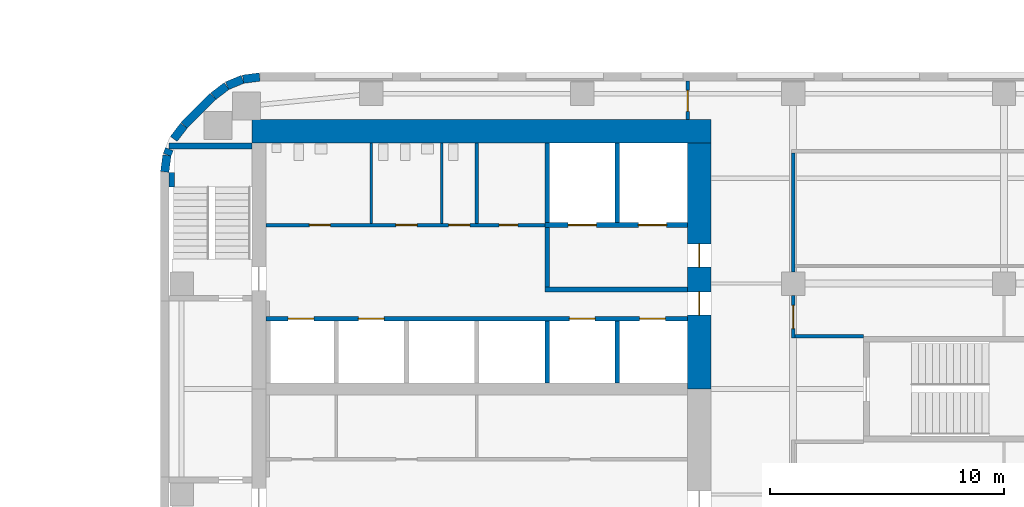
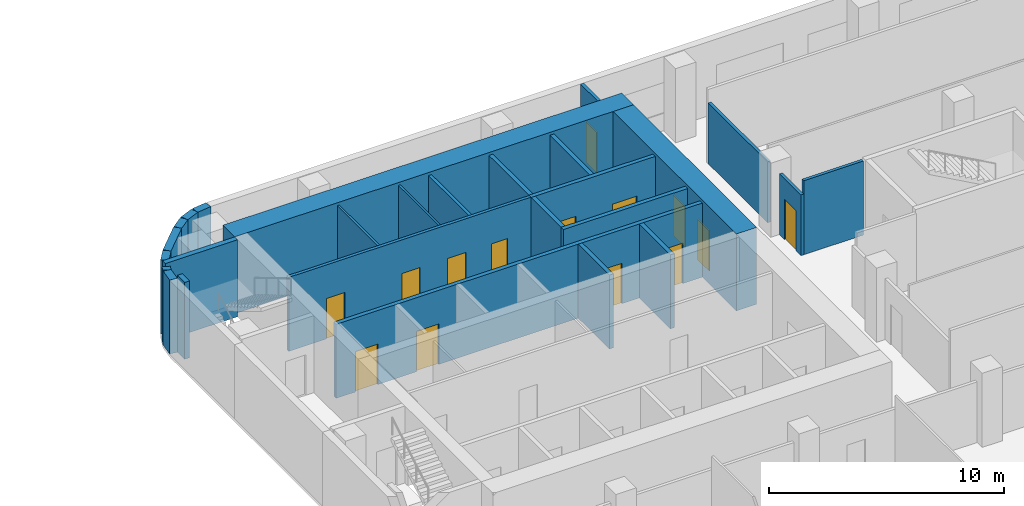
# One storey, part 10 of 15: 27 walls, 14 doors, 14 openings.
"""IFC4 building model written with IfcOpenShell, lengths in metres."""

from ifc_helpers import new_model, si_unit, direction, frame, frame_2d, origin, place, context, subcontext, project, spatial, rectangle, extrude, material, layer, layer_set, type_object, element, fill, save


model = new_model("IFC4")

# Units and contexts
model_context = context("Model", 3, precision=1e-05, world=origin(), true_north=direction((0.0, 1.0)))
body_context = subcontext(model_context, "Body", "Model", "MODEL_VIEW")
ifc_project = project(units=[si_unit("LENGTHUNIT", "METRE"), si_unit("AREAUNIT", "SQUARE_METRE"), si_unit("VOLUMEUNIT", "CUBIC_METRE"), si_unit("PLANEANGLEUNIT", "RADIAN"), si_unit("MASSUNIT", "GRAM", prefix="KILO")], contexts=[model_context])

# Site, building, storey
site_placement = place(None, origin())
site = spatial("IfcSite", under=ifc_project, at=site_placement, CompositionType="ELEMENT")
building_placement = place(site_placement, origin())
building = spatial("IfcBuilding", under=site, at=building_placement, Name="Cinnabar Reach Civic Tower", CompositionType="ELEMENT")
storey_placement = place(building_placement, frame((0.0, 0.0, 63.0)))
storey = spatial("IfcBuildingStorey", under=building, at=storey_placement, Name="L14", CompositionType="ELEMENT", Elevation=63.0)

# Walls
ifc_material_1 = material(Name="Facing brick with insulated backing", Category="masonry")
ifc_layer_1 = layer(ifc_material_1, 0.36)
ifc_layer_set_1 = layer_set([ifc_layer_1], Name="Brick corner wall")
wall_type_1 = type_object("IfcWallType", Name="Brick corner wall", PredefinedType="STANDARD", material=ifc_layer_set_1)
for number, where, z_axis, x_axis, name in (
    (1, (4.2314, 44.817, 0.0), (0.0, 0.0, 1.0), (-0.99144092581, -0.13055608231, 0.0), "Brick corner wall"),
    (2, (3.5027, 44.7181, 0.0), (0.0, 0.0, 1.0), (-0.923871547278, -0.382702709855, 0.0), "Brick corner wall"),
):
    element("IfcWall", number, at=place(storey_placement, frame(where, z_axis=z_axis, x_axis=x_axis)), inside=storey, type_object=wall_type_1, Name=name, PredefinedType="STANDARD", context=body_context, shape_type="SweptSolid", body=[
        extrude(rectangle(XDim=0.7131, YDim=0.36, at=frame_2d((0.3565, 0.0))), origin(), (0.0, 0.0, 1.0), 3.85),
    ])
for number, where, z_axis, x_axis, name in (
    (3, (2.8245, 44.434, 0.0), (0.0, 0.0, 1.0), (-0.793321924995, -0.608802368033, 0.0), "Brick corner wall"),
    (4, (1.0002, 42.7413, 0.0), (0.0, 0.0, 1.0), (-0.608802368033, -0.793321924995, 0.0), "Brick corner wall"),
):
    element("IfcWall", number, at=place(storey_placement, frame(where, z_axis=z_axis, x_axis=x_axis)), inside=storey, type_object=wall_type_1, Name=name, PredefinedType="STANDARD", context=body_context, shape_type="SweptSolid", body=[
        extrude(rectangle(XDim=0.7132, YDim=0.36, at=frame_2d((0.3566, 0.0))), origin(), (0.0, 0.0, 1.0), 3.85),
    ])
wall_1_placement = place(storey_placement, frame((0.3808, 41.736, 0.0), z_axis=(0.0, 0.0, 1.0), x_axis=(-0.382773360986, -0.923842277729, 0.0)))
element("IfcWall", 5, at=wall_1_placement, inside=storey, type_object=wall_type_1, Name="Brick corner wall", PredefinedType="STANDARD", context=body_context, shape_type="SweptSolid", body=[
    extrude(rectangle(XDim=0.2584, YDim=0.36, at=frame_2d((0.1292, 0.0))), origin(), (0.0, 0.0, 1.0), 3.85),
])
wall_2_placement = place(storey_placement, frame((0.2761, 41.4756, 0.0), z_axis=(0.0, 0.0, 1.0), x_axis=(-0.13055608231, -0.99144092581, 0.0)))
element("IfcWall", 6, at=wall_2_placement, inside=storey, type_object=wall_type_1, Name="Brick corner wall", PredefinedType="STANDARD", context=body_context, shape_type="SweptSolid", body=[
    extrude(rectangle(XDim=0.7131, YDim=0.36, at=frame_2d((0.3565, 0.0))), origin(), (0.0, 0.0, 1.0), 3.85),
])
ifc_layer_2 = layer(ifc_material_1, 0.36)
ifc_layer_set_2 = layer_set([ifc_layer_2], Name="Brick pier and spandrel wall")
wall_type_2 = type_object("IfcWallType", Name="Brick pier and spandrel wall", PredefinedType="STANDARD", material=ifc_layer_set_2)
wall_3_placement = place(storey_placement, frame((2.2486, 43.994, 0.0), z_axis=(0.0, 0.0, 1.0), x_axis=(-0.707106781187, -0.707106781187, 0.0)))
element("IfcWall", 7, at=wall_3_placement, inside=storey, type_object=wall_type_2, Name="Brick facade wall", PredefinedType="STANDARD", context=body_context, shape_type="SweptSolid", body=[
    extrude(rectangle(XDim=1.7573, YDim=0.36, at=frame_2d((0.8787, 0.0))), origin(), (0.0, 0.0, 1.0), 3.85),
])
ifc_material_2 = material(Name="Concrete C70", Category="concrete")
ifc_layer_3 = layer(ifc_material_2, 1.0)
ifc_layer_set_3 = layer_set([ifc_layer_3], Name="Core wall 1000 EI 180")
wall_type_3 = type_object("IfcWallType", Name="Core wall 1000 EI 180", PredefinedType="SOLIDWALL", material=ifc_layer_set_3)
wall_4_placement = place(storey_placement, frame((23.5, 42.5, 0.0), z_axis=(0.0, 0.0, 1.0), x_axis=(-1.0, 0.0, 0.0)))
element("IfcWall", 8, at=wall_4_placement, inside=storey, type_object=wall_type_3, Name="Core wall T1 L14 N", PredefinedType="SOLIDWALL", context=body_context, shape_type="SweptSolid", body=[
    extrude(rectangle(XDim=19.6, YDim=1.0, at=frame_2d((9.8, 0.0))), origin(), (0.0, 0.0, 1.0), 4.0),
])

# Wall, openings, doors
wall_5_placement = place(storey_placement, frame((23.0, 31.5, 0.0), z_axis=(0.0, 0.0, 1.0), x_axis=(0.0, 1.0, 0.0)))
wall_5 = element("IfcWall", 9, at=wall_5_placement, inside=storey, type_object=wall_type_3, Name="Core wall T1 L14 E2", PredefinedType="SOLIDWALL", context=body_context, shape_type="SweptSolid", body=[
    extrude(rectangle(XDim=10.5, YDim=1.0, at=frame_2d((5.25, 0.0))), origin(), (0.0, 0.0, 1.0), 4.0),
])
opening_1_placement = place(wall_5_placement, frame((3.15, 0.0, 0.0)))
opening_1 = element("IfcOpeningElement", 10, at=opening_1_placement, cuts=wall_5, Name="Opening D3575", PredefinedType="OPENING", context=body_context, shape_type="SweptSolid", body=[
    extrude(rectangle(XDim=1.0, YDim=2.1, at=frame_2d((0.5, 1.05))), frame((0.0, 0.51, 0.0), z_axis=(0.0, -1.0, 0.0), x_axis=(1.0, 0.0, 0.0)), (0.0, 0.0, 1.0), 1.02),
])
opening_2_placement = place(wall_5_placement, frame((5.2, 0.0, 0.0)))
opening_2 = element("IfcOpeningElement", 11, at=opening_2_placement, cuts=wall_5, Name="Opening D3576", PredefinedType="OPENING", context=body_context, shape_type="SweptSolid", body=[
    extrude(rectangle(XDim=1.0, YDim=2.1, at=frame_2d((0.5, 1.05))), frame((0.0, 0.51, 0.0), z_axis=(0.0, -1.0, 0.0), x_axis=(1.0, 0.0, 0.0)), (0.0, 0.0, 1.0), 1.02),
])
ifc_material_3 = material(Name="Timber door leaf in steel frame", Category="steel")
door_type_1 = type_object("IfcDoorType", Name="Firefighting lobby door 1000 x 2100 T1", OperationType="SINGLE_SWING_LEFT", PredefinedType="DOOR", material=ifc_material_3)
door_1_placement = place(opening_2_placement, origin())
door_1 = element("IfcDoor", 12, at=door_1_placement, inside=storey, type_object=door_type_1, Name="Door D3576", OperationType="SINGLE_SWING_RIGHT", OverallHeight=2.1, OverallWidth=1.0, PredefinedType="DOOR", context=body_context, shape_type="SweptSolid", body=[
    extrude(rectangle(XDim=1.0, YDim=2.1, at=frame_2d((0.5, 1.05))), frame((0.0, 0.025, 0.0), z_axis=(0.0, -1.0, 0.0), x_axis=(1.0, 0.0, 0.0)), (0.0, 0.0, 1.0), 0.05),
])
fill(opening_2, door_1)
door_type_2 = type_object("IfcDoorType", Name="Single swing door 1000 x 2100 T1", OperationType="SINGLE_SWING_LEFT", PredefinedType="DOOR", material=ifc_material_3)
door_2_placement = place(opening_1_placement, origin())
door_2 = element("IfcDoor", 13, at=door_2_placement, inside=storey, type_object=door_type_2, Name="Door D3575", OperationType="SINGLE_SWING_RIGHT", OverallHeight=2.1, OverallWidth=1.0, PredefinedType="DOOR", context=body_context, shape_type="SweptSolid", body=[
    extrude(rectangle(XDim=1.0, YDim=2.1, at=frame_2d((0.5, 1.05))), frame((0.0, 0.025, 0.0), z_axis=(0.0, -1.0, 0.0), x_axis=(1.0, 0.0, 0.0)), (0.0, 0.0, 1.0), 0.05),
])
fill(opening_1, door_2)

ifc_material_4 = material(Name="Gypsum board on steel studs, double layer", Category="steel")
ifc_layer_4 = layer(ifc_material_4, 0.15)
ifc_layer_set_4 = layer_set([ifc_layer_4], Name="Corridor wall 150 T1")
wall_type_4 = type_object("IfcWallType", Name="Corridor wall 150 T1", PredefinedType="PARTITIONING", material=ifc_layer_set_4)
wall_6_placement = place(storey_placement, frame((4.5, 38.5, 0.0), z_axis=(0.0, 0.0, 1.0), x_axis=(1.0, 0.0, 0.0)))
wall_6 = element("IfcWall", 14, at=wall_6_placement, inside=storey, type_object=wall_type_4, Name="Corridor wall 29", PredefinedType="PARTITIONING", context=body_context, shape_type="SweptSolid", body=[
    extrude(rectangle(XDim=11.9, YDim=0.15, at=frame_2d((5.95, 0.0))), origin(), (0.0, 0.0, 1.0), 3.85),
])
opening_3_placement = place(wall_6_placement, frame((1.85, 0.0, 0.0)))
opening_3 = element("IfcOpeningElement", 15, at=opening_3_placement, cuts=wall_6, Name="Opening D3581", PredefinedType="OPENING", context=body_context, shape_type="SweptSolid", body=[
    extrude(rectangle(XDim=0.9, YDim=2.1, at=frame_2d((0.45, 1.05))), frame((0.0, 0.085, 0.0), z_axis=(0.0, -1.0, 0.0), x_axis=(1.0, 0.0, 0.0)), (0.0, 0.0, 1.0), 0.17),
])
opening_4_placement = place(wall_6_placement, frame((5.55, 0.0, 0.0)))
opening_4 = element("IfcOpeningElement", 16, at=opening_4_placement, cuts=wall_6, Name="Opening D3582", PredefinedType="OPENING", context=body_context, shape_type="SweptSolid", body=[
    extrude(rectangle(XDim=0.9, YDim=2.1, at=frame_2d((0.45, 1.05))), frame((0.0, 0.085, 0.0), z_axis=(0.0, -1.0, 0.0), x_axis=(1.0, 0.0, 0.0)), (0.0, 0.0, 1.0), 0.17),
])
opening_5_placement = place(wall_6_placement, frame((7.8, 0.0, 0.0)))
opening_5 = element("IfcOpeningElement", 17, at=opening_5_placement, cuts=wall_6, Name="Opening D3583", PredefinedType="OPENING", context=body_context, shape_type="SweptSolid", body=[
    extrude(rectangle(XDim=0.9, YDim=2.1, at=frame_2d((0.45, 1.05))), frame((0.0, 0.085, 0.0), z_axis=(0.0, -1.0, 0.0), x_axis=(1.0, 0.0, 0.0)), (0.0, 0.0, 1.0), 0.17),
])
opening_6_placement = place(wall_6_placement, frame((9.95, 0.0, 0.0)))
opening_6 = element("IfcOpeningElement", 18, at=opening_6_placement, cuts=wall_6, Name="Opening D3584", PredefinedType="OPENING", context=body_context, shape_type="SweptSolid", body=[
    extrude(rectangle(XDim=0.8, YDim=2.1, at=frame_2d((0.4, 1.05))), frame((0.0, 0.085, 0.0), z_axis=(0.0, -1.0, 0.0), x_axis=(1.0, 0.0, 0.0)), (0.0, 0.0, 1.0), 0.17),
])
door_type_3 = type_object("IfcDoorType", Name="Riser access door 800 x 2100 T1", OperationType="SINGLE_SWING_LEFT", PredefinedType="DOOR", material=ifc_material_3)
door_3_placement = place(opening_6_placement, origin())
door_3 = element("IfcDoor", 19, at=door_3_placement, inside=storey, type_object=door_type_3, Name="Door D3584", OperationType="SINGLE_SWING_LEFT", OverallHeight=2.1, OverallWidth=0.8, PredefinedType="DOOR", context=body_context, shape_type="SweptSolid", body=[
    extrude(rectangle(XDim=0.8, YDim=2.1, at=frame_2d((0.4, 1.05))), frame((0.0, 0.025, 0.0), z_axis=(0.0, -1.0, 0.0), x_axis=(1.0, 0.0, 0.0)), (0.0, 0.0, 1.0), 0.05),
])
fill(opening_6, door_3)
door_type_4 = type_object("IfcDoorType", Name="Single swing door 900 x 2100 corridor T1", OperationType="SINGLE_SWING_LEFT", PredefinedType="DOOR", material=ifc_material_3)
door_4_placement = place(opening_3_placement, origin())
door_4 = element("IfcDoor", 20, at=door_4_placement, inside=storey, type_object=door_type_4, Name="Door D3581", OperationType="SINGLE_SWING_LEFT", OverallHeight=2.1, OverallWidth=0.9, PredefinedType="DOOR", context=body_context, shape_type="SweptSolid", body=[
    extrude(rectangle(XDim=0.9, YDim=2.1, at=frame_2d((0.45, 1.05))), frame((0.0, 0.025, 0.0), z_axis=(0.0, -1.0, 0.0), x_axis=(1.0, 0.0, 0.0)), (0.0, 0.0, 1.0), 0.05),
])
fill(opening_3, door_4)
door_5_placement = place(opening_4_placement, origin())
door_5 = element("IfcDoor", 21, at=door_5_placement, inside=storey, type_object=door_type_4, Name="Door D3582", OperationType="SINGLE_SWING_RIGHT", OverallHeight=2.1, OverallWidth=0.9, PredefinedType="DOOR", context=body_context, shape_type="SweptSolid", body=[
    extrude(rectangle(XDim=0.9, YDim=2.1, at=frame_2d((0.45, 1.05))), frame((0.0, 0.025, 0.0), z_axis=(0.0, -1.0, 0.0), x_axis=(1.0, 0.0, 0.0)), (0.0, 0.0, 1.0), 0.05),
])
fill(opening_4, door_5)
door_6_placement = place(opening_5_placement, origin())
door_6 = element("IfcDoor", 22, at=door_6_placement, inside=storey, type_object=door_type_4, Name="Door D3583", OperationType="SINGLE_SWING_RIGHT", OverallHeight=2.1, OverallWidth=0.9, PredefinedType="DOOR", context=body_context, shape_type="SweptSolid", body=[
    extrude(rectangle(XDim=0.9, YDim=2.1, at=frame_2d((0.45, 1.05))), frame((0.0, 0.025, 0.0), z_axis=(0.0, -1.0, 0.0), x_axis=(1.0, 0.0, 0.0)), (0.0, 0.0, 1.0), 0.05),
])
fill(opening_5, door_6)

# Wall, opening, door
wall_7_placement = place(storey_placement, frame((27.0, 33.675, 0.0), z_axis=(0.0, 0.0, 1.0), x_axis=(0.0, 1.0, 0.0)))
wall_7 = element("IfcWall", 23, at=wall_7_placement, inside=storey, type_object=wall_type_4, Name="Corridor wall 32", PredefinedType="PARTITIONING", context=body_context, shape_type="SweptSolid", body=[
    extrude(rectangle(XDim=1.825, YDim=0.15, at=frame_2d((0.9125, 0.0))), origin(), (0.0, 0.0, 1.0), 3.158),
])
opening_7_placement = place(wall_7_placement, frame((0.4, 0.0, 0.0)))
opening_7 = element("IfcOpeningElement", 24, at=opening_7_placement, cuts=wall_7, Name="Opening D3585", PredefinedType="OPENING", context=body_context, shape_type="SweptSolid", body=[
    extrude(rectangle(XDim=1.0, YDim=2.1, at=frame_2d((0.5, 1.05))), frame((0.0, 0.085, 0.0), z_axis=(0.0, -1.0, 0.0), x_axis=(1.0, 0.0, 0.0)), (0.0, 0.0, 1.0), 0.17),
])
door_type_5 = type_object("IfcDoorType", Name="Tenancy entrance door 1000 x 2100 T1", OperationType="SINGLE_SWING_LEFT", PredefinedType="DOOR", material=ifc_material_3)
door_7_placement = place(opening_7_placement, frame((1.0, 0.0, 0.0), z_axis=(0.0, 0.0, 1.0), x_axis=(-1.0, 0.0, 0.0)))
door_7 = element("IfcDoor", 25, at=door_7_placement, inside=storey, type_object=door_type_5, Name="Door D3585", OperationType="SINGLE_SWING_RIGHT", OverallHeight=2.1, OverallWidth=1.0, PredefinedType="DOOR", context=body_context, shape_type="SweptSolid", body=[
    extrude(rectangle(XDim=1.0, YDim=2.1, at=frame_2d((0.5, 1.05))), frame((0.0, 0.025, 0.0), z_axis=(0.0, -1.0, 0.0), x_axis=(1.0, 0.0, 0.0)), (0.0, 0.0, 1.0), 0.05),
])
fill(opening_7, door_7)

# Walls
wall_8_placement = place(storey_placement, frame((27.0, 36.5, 0.0), z_axis=(0.0, 0.0, 1.0), x_axis=(0.0, 1.0, 0.0)))
element("IfcWall", 26, at=wall_8_placement, inside=storey, type_object=wall_type_4, Name="Corridor wall 33", PredefinedType="PARTITIONING", context=body_context, shape_type="SweptSolid", body=[
    extrude(rectangle(XDim=5.075, YDim=0.15, at=frame_2d((2.5375, 0.0))), origin(), (0.0, 0.0, 1.0), 3.158),
])
wall_9_placement = place(storey_placement, frame((27.075, 33.75, 0.0), z_axis=(0.0, 0.0, 1.0), x_axis=(1.0, 0.0, 0.0)))
element("IfcWall", 27, at=wall_9_placement, inside=storey, type_object=wall_type_4, Name="Corridor wall 37", PredefinedType="PARTITIONING", context=body_context, shape_type="SweptSolid", body=[
    extrude(rectangle(XDim=2.925, YDim=0.15, at=frame_2d((1.4625, 0.0))), origin(), (0.0, 0.0, 1.0), 3.85),
])

# Wall, opening, door
wall_10_placement = place(storey_placement, frame((22.5, 43.0, 0.0), z_axis=(0.0, 0.0, 1.0), x_axis=(0.0, 1.0, 0.0)))
wall_10 = element("IfcWall", 28, at=wall_10_placement, inside=storey, type_object=wall_type_4, Name="Corridor wall 38", PredefinedType="PARTITIONING", context=body_context, shape_type="SweptSolid", body=[
    extrude(rectangle(XDim=1.64, YDim=0.15, at=frame_2d((0.82, 0.0))), origin(), (0.0, 0.0, 1.0), 3.85),
])
opening_8_placement = place(wall_10_placement, frame((0.35, 0.0, 0.0)))
opening_8 = element("IfcOpeningElement", 29, at=opening_8_placement, cuts=wall_10, Name="Opening D5778", PredefinedType="OPENING", context=body_context, shape_type="SweptSolid", body=[
    extrude(rectangle(XDim=0.9, YDim=2.1, at=frame_2d((0.45, 1.05))), frame((0.0, 0.085, 0.0), z_axis=(0.0, -1.0, 0.0), x_axis=(1.0, 0.0, 0.0)), (0.0, 0.0, 1.0), 0.17),
])
door_8_placement = place(opening_8_placement, origin())
door_8 = element("IfcDoor", 30, at=door_8_placement, inside=storey, type_object=door_type_4, Name="Door D5778", OperationType="SINGLE_SWING_LEFT", OverallHeight=2.1, OverallWidth=0.9, PredefinedType="DOOR", context=body_context, shape_type="SweptSolid", body=[
    extrude(rectangle(XDim=0.9, YDim=2.1, at=frame_2d((0.45, 1.05))), frame((0.0, 0.025, 0.0), z_axis=(0.0, -1.0, 0.0), x_axis=(1.0, 0.0, 0.0)), (0.0, 0.0, 1.0), 0.05),
])
fill(opening_8, door_8)

# Wall, openings, doors
ifc_material_5 = material(Name="Blockwork", Category="masonry")
ifc_layer_5 = layer(ifc_material_5, 0.2)
ifc_layer_set_5 = layer_set([ifc_layer_5], Name="Lift shaft wall 200 T1")
wall_type_5 = type_object("IfcWallType", Name="Lift shaft wall 200 T1", PredefinedType="PARTITIONING", material=ifc_layer_set_5)
wall_11_placement = place(storey_placement, frame((4.5, 34.5, 0.0), z_axis=(0.0, 0.0, 1.0), x_axis=(1.0, 0.0, 0.0)))
wall_11 = element("IfcWall", 31, at=wall_11_placement, inside=storey, type_object=wall_type_5, Name="Lift shaft wall 5", PredefinedType="PARTITIONING", context=body_context, shape_type="SweptSolid", body=[
    extrude(rectangle(XDim=18.0, YDim=0.2, at=frame_2d((9.0, 0.0))), origin(), (0.0, 0.0, 1.0), 3.85),
])
opening_9_placement = place(wall_11_placement, frame((0.95, 0.0, 0.0)))
opening_9 = element("IfcOpeningElement", 32, at=opening_9_placement, cuts=wall_11, Name="Opening D3568", PredefinedType="OPENING", context=body_context, shape_type="SweptSolid", body=[
    extrude(rectangle(XDim=1.1, YDim=2.1, at=frame_2d((0.55, 1.05))), frame((0.0, 0.11, 0.0), z_axis=(0.0, -1.0, 0.0), x_axis=(1.0, 0.0, 0.0)), (0.0, 0.0, 1.0), 0.22),
])
opening_10_placement = place(wall_11_placement, frame((3.95, 0.0, 0.0)))
opening_10 = element("IfcOpeningElement", 33, at=opening_10_placement, cuts=wall_11, Name="Opening D3569", PredefinedType="OPENING", context=body_context, shape_type="SweptSolid", body=[
    extrude(rectangle(XDim=1.1, YDim=2.1, at=frame_2d((0.55, 1.05))), frame((0.0, 0.11, 0.0), z_axis=(0.0, -1.0, 0.0), x_axis=(1.0, 0.0, 0.0)), (0.0, 0.0, 1.0), 0.22),
])
opening_11_placement = place(wall_11_placement, frame((12.95, 0.0, 0.0)))
opening_11 = element("IfcOpeningElement", 34, at=opening_11_placement, cuts=wall_11, Name="Opening D3570", PredefinedType="OPENING", context=body_context, shape_type="SweptSolid", body=[
    extrude(rectangle(XDim=1.1, YDim=2.1, at=frame_2d((0.55, 1.05))), frame((0.0, 0.11, 0.0), z_axis=(0.0, -1.0, 0.0), x_axis=(1.0, 0.0, 0.0)), (0.0, 0.0, 1.0), 0.22),
])
opening_12_placement = place(wall_11_placement, frame((15.95, 0.0, 0.0)))
opening_12 = element("IfcOpeningElement", 35, at=opening_12_placement, cuts=wall_11, Name="Opening D3571", PredefinedType="OPENING", context=body_context, shape_type="SweptSolid", body=[
    extrude(rectangle(XDim=1.1, YDim=2.1, at=frame_2d((0.55, 1.05))), frame((0.0, 0.11, 0.0), z_axis=(0.0, -1.0, 0.0), x_axis=(1.0, 0.0, 0.0)), (0.0, 0.0, 1.0), 0.22),
])
ifc_material_6 = material(Name="Stainless steel sliding door", Category="steel")
door_type_6 = type_object("IfcDoorType", Name="Lift landing door 1100 x 2100 T1", OperationType="SLIDING_TO_LEFT", PredefinedType="DOOR", material=ifc_material_6)
door_9_placement = place(opening_9_placement, origin())
door_9 = element("IfcDoor", 36, at=door_9_placement, inside=storey, type_object=door_type_6, Name="Lift landing door SH1 L14", OperationType="SLIDING_TO_LEFT", OverallHeight=2.1, OverallWidth=1.1, PredefinedType="DOOR", context=body_context, shape_type="SweptSolid", body=[
    extrude(rectangle(XDim=1.1, YDim=2.1, at=frame_2d((0.55, 1.05))), frame((0.0, 0.025, 0.0), z_axis=(0.0, -1.0, 0.0), x_axis=(1.0, 0.0, 0.0)), (0.0, 0.0, 1.0), 0.05),
])
fill(opening_9, door_9)
door_10_placement = place(opening_10_placement, origin())
door_10 = element("IfcDoor", 37, at=door_10_placement, inside=storey, type_object=door_type_6, Name="Lift landing door SH2 L14", OperationType="SLIDING_TO_LEFT", OverallHeight=2.1, OverallWidth=1.1, PredefinedType="DOOR", context=body_context, shape_type="SweptSolid", body=[
    extrude(rectangle(XDim=1.1, YDim=2.1, at=frame_2d((0.55, 1.05))), frame((0.0, 0.025, 0.0), z_axis=(0.0, -1.0, 0.0), x_axis=(1.0, 0.0, 0.0)), (0.0, 0.0, 1.0), 0.05),
])
fill(opening_10, door_10)
door_11_placement = place(opening_11_placement, origin())
door_11 = element("IfcDoor", 38, at=door_11_placement, inside=storey, type_object=door_type_6, Name="Lift landing door SV1 L14", OperationType="SLIDING_TO_LEFT", OverallHeight=2.1, OverallWidth=1.1, PredefinedType="DOOR", context=body_context, shape_type="SweptSolid", body=[
    extrude(rectangle(XDim=1.1, YDim=2.1, at=frame_2d((0.55, 1.05))), frame((0.0, 0.025, 0.0), z_axis=(0.0, -1.0, 0.0), x_axis=(1.0, 0.0, 0.0)), (0.0, 0.0, 1.0), 0.05),
])
fill(opening_11, door_11)
door_12_placement = place(opening_12_placement, origin())
door_12 = element("IfcDoor", 39, at=door_12_placement, inside=storey, type_object=door_type_6, Name="Lift landing door SV2 L14", OperationType="SLIDING_TO_LEFT", OverallHeight=2.1, OverallWidth=1.1, PredefinedType="DOOR", context=body_context, shape_type="SweptSolid", body=[
    extrude(rectangle(XDim=1.1, YDim=2.1, at=frame_2d((0.55, 1.05))), frame((0.0, 0.025, 0.0), z_axis=(0.0, -1.0, 0.0), x_axis=(1.0, 0.0, 0.0)), (0.0, 0.0, 1.0), 0.05),
])
fill(opening_12, door_12)

# Walls
for number, where, z_axis, x_axis, name in (
    (40, (16.5, 38.6, 0.0), (0.0, 0.0, 1.0), (0.0, 1.0, 0.0), "Lift shaft wall 6"),
    (41, (19.5, 38.6, 0.0), (0.0, 0.0, 1.0), (0.0, 1.0, 0.0), "Lift shaft wall 7"),
):
    element("IfcWall", number, at=place(storey_placement, frame(where, z_axis=z_axis, x_axis=x_axis)), inside=storey, type_object=wall_type_5, Name=name, PredefinedType="PARTITIONING", context=body_context, shape_type="SweptSolid", body=[
        extrude(rectangle(XDim=3.4, YDim=0.2, at=frame_2d((1.7, 0.0))), origin(), (0.0, 0.0, 1.0), 3.85),
    ])
for number, where, z_axis, x_axis, name in (
    (42, (16.5, 31.75, 0.0), (0.0, 0.0, 1.0), (0.0, 1.0, 0.0), "Lift shaft wall 16"),
    (43, (19.5, 31.75, 0.0), (0.0, 0.0, 1.0), (0.0, 1.0, 0.0), "Lift shaft wall 18"),
):
    element("IfcWall", number, at=place(storey_placement, frame(where, z_axis=z_axis, x_axis=x_axis)), inside=storey, type_object=wall_type_5, Name=name, PredefinedType="PARTITIONING", context=body_context, shape_type="SweptSolid", body=[
        extrude(rectangle(XDim=2.65, YDim=0.2, at=frame_2d((1.325, 0.0))), origin(), (0.0, 0.0, 1.0), 3.85),
    ])
ifc_material_7 = material(Name="Gypsum board on steel studs", Category="steel")
ifc_layer_6 = layer(ifc_material_7, 0.1)
ifc_layer_set_6 = layer_set([ifc_layer_6], Name="Partition wall 100 T1")
wall_type_6 = type_object("IfcWallType", Name="Partition wall 100 T1", PredefinedType="PARTITIONING", material=ifc_layer_set_6)
for number, where, z_axis, x_axis, name in (
    (44, (9.0, 38.575, 0.0), (0.0, 0.0, 1.0), (0.0, 1.0, 0.0), "Partition wall 48"),
    (45, (12.0, 38.575, 0.0), (0.0, 0.0, 1.0), (0.0, 1.0, 0.0), "Partition wall 49"),
):
    element("IfcWall", number, at=place(storey_placement, frame(where, z_axis=z_axis, x_axis=x_axis)), inside=storey, type_object=wall_type_6, Name=name, PredefinedType="PARTITIONING", context=body_context, shape_type="SweptSolid", body=[
        extrude(rectangle(XDim=3.425, YDim=0.1, at=frame_2d((1.7125, 0.0))), origin(), (0.0, 0.0, 1.0), 3.85),
    ])
ifc_material_8 = material(Name="Concrete C40", Category="concrete")
ifc_layer_7 = layer(ifc_material_8, 0.2)
ifc_layer_set_7 = layer_set([ifc_layer_7], Name="Refuge compartment wall 200 T1")
wall_type_7 = type_object("IfcWallType", Name="Refuge compartment wall 200 T1", PredefinedType="PARTITIONING", material=ifc_layer_set_7)
wall_12_placement = place(storey_placement, frame((16.4, 35.75, 0.0), z_axis=(0.0, 0.0, 1.0), x_axis=(1.0, 0.0, 0.0)))
element("IfcWall", 46, at=wall_12_placement, inside=storey, type_object=wall_type_7, Name="Refuge compartment wall 1", PredefinedType="PARTITIONING", context=body_context, shape_type="SweptSolid", body=[
    extrude(rectangle(XDim=6.1, YDim=0.2, at=frame_2d((3.05, 0.0))), origin(), (0.0, 0.0, 1.0), 3.85),
])

# Wall, openings, doors
wall_13_placement = place(storey_placement, frame((16.4, 38.5, 0.0), z_axis=(0.0, 0.0, 1.0), x_axis=(1.0, 0.0, 0.0)))
wall_13 = element("IfcWall", 47, at=wall_13_placement, inside=storey, type_object=wall_type_7, Name="Refuge compartment wall 2", PredefinedType="PARTITIONING", context=body_context, shape_type="SweptSolid", body=[
    extrude(rectangle(XDim=6.1, YDim=0.2, at=frame_2d((3.05, 0.0))), origin(), (0.0, 0.0, 1.0), 3.85),
])
opening_13_placement = place(wall_13_placement, frame((1.0, 0.0, 0.0)))
opening_13 = element("IfcOpeningElement", 48, at=opening_13_placement, cuts=wall_13, Name="Opening D3572", PredefinedType="OPENING", context=body_context, shape_type="SweptSolid", body=[
    extrude(rectangle(XDim=1.2, YDim=2.1, at=frame_2d((0.6, 1.05))), frame((0.0, 0.11, 0.0), z_axis=(0.0, -1.0, 0.0), x_axis=(1.0, 0.0, 0.0)), (0.0, 0.0, 1.0), 0.22),
])
opening_14_placement = place(wall_13_placement, frame((4.0, 0.0, 0.0)))
opening_14 = element("IfcOpeningElement", 49, at=opening_14_placement, cuts=wall_13, Name="Opening D3573", PredefinedType="OPENING", context=body_context, shape_type="SweptSolid", body=[
    extrude(rectangle(XDim=1.2, YDim=2.1, at=frame_2d((0.6, 1.05))), frame((0.0, 0.11, 0.0), z_axis=(0.0, -1.0, 0.0), x_axis=(1.0, 0.0, 0.0)), (0.0, 0.0, 1.0), 0.22),
])
door_type_7 = type_object("IfcDoorType", Name="Firefighting lift landing door 1200 x 2100 T1", OperationType="SLIDING_TO_LEFT", PredefinedType="DOOR", material=ifc_material_6)
door_13_placement = place(opening_13_placement, origin())
door_13 = element("IfcDoor", 50, at=door_13_placement, inside=storey, type_object=door_type_7, Name="Lift landing door FF1 L14", OperationType="SLIDING_TO_LEFT", OverallHeight=2.1, OverallWidth=1.2, PredefinedType="DOOR", context=body_context, shape_type="SweptSolid", body=[
    extrude(rectangle(XDim=1.2, YDim=2.1, at=frame_2d((0.6, 1.05))), frame((0.0, 0.025, 0.0), z_axis=(0.0, -1.0, 0.0), x_axis=(1.0, 0.0, 0.0)), (0.0, 0.0, 1.0), 0.05),
])
fill(opening_13, door_13)
door_14_placement = place(opening_14_placement, origin())
door_14 = element("IfcDoor", 51, at=door_14_placement, inside=storey, type_object=door_type_7, Name="Lift landing door FF2 L14", OperationType="SLIDING_TO_LEFT", OverallHeight=2.1, OverallWidth=1.2, PredefinedType="DOOR", context=body_context, shape_type="SweptSolid", body=[
    extrude(rectangle(XDim=1.2, YDim=2.1, at=frame_2d((0.6, 1.05))), frame((0.0, 0.025, 0.0), z_axis=(0.0, -1.0, 0.0), x_axis=(1.0, 0.0, 0.0)), (0.0, 0.0, 1.0), 0.05),
])
fill(opening_14, door_14)

# Walls
wall_14_placement = place(storey_placement, frame((16.5, 35.85, 0.0), z_axis=(0.0, 0.0, 1.0), x_axis=(0.0, 1.0, 0.0)))
element("IfcWall", 52, at=wall_14_placement, inside=storey, type_object=wall_type_7, Name="Refuge compartment wall 3", PredefinedType="PARTITIONING", context=body_context, shape_type="SweptSolid", body=[
    extrude(rectangle(XDim=2.55, YDim=0.2, at=frame_2d((1.275, 0.0))), origin(), (0.0, 0.0, 1.0), 3.85),
])
ifc_layer_8 = layer(ifc_material_5, 0.15)
ifc_layer_set_8 = layer_set([ifc_layer_8], Name="Riser wall 150 T1")
wall_type_8 = type_object("IfcWallType", Name="Riser wall 150 T1", PredefinedType="PARTITIONING", material=ifc_layer_set_8)
wall_15_placement = place(storey_placement, frame((13.5, 38.575, 0.0), z_axis=(0.0, 0.0, 1.0), x_axis=(0.0, 1.0, 0.0)))
element("IfcWall", 53, at=wall_15_placement, inside=storey, type_object=wall_type_8, Name="Riser wall 40", PredefinedType="PARTITIONING", context=body_context, shape_type="SweptSolid", body=[
    extrude(rectangle(XDim=3.425, YDim=0.15, at=frame_2d((1.7125, 0.0))), origin(), (0.0, 0.0, 1.0), 3.85),
])
ifc_material_9 = material(Name="Concrete C60", Category="concrete")
ifc_layer_9 = layer(ifc_material_9, 0.25)
ifc_layer_set_9 = layer_set([ifc_layer_9], Name="Stair shaft wall 250 EI 120")
wall_type_9 = type_object("IfcWallType", Name="Stair shaft wall 250 EI 120", PredefinedType="SOLIDWALL", material=ifc_layer_set_9)
wall_16_placement = place(storey_placement, frame((3.9, 41.875, 0.0), z_axis=(0.0, 0.0, 1.0), x_axis=(-1.0, 0.0, 0.0)))
element("IfcWall", 54, at=wall_16_placement, inside=storey, type_object=wall_type_9, Name="Stair shaft wall T1-S2 L14", PredefinedType="SOLIDWALL", context=body_context, shape_type="SweptSolid", body=[
    extrude(rectangle(XDim=3.54, YDim=0.25, at=frame_2d((1.77, 0.0))), origin(), (0.0, 0.0, 1.0), 4.0),
])
ifc_material_10 = material(Name="Concrete C40/50", Category="concrete")
ifc_layer_10 = layer(ifc_material_10, 0.24)
ifc_layer_set_10 = layer_set([ifc_layer_10], Name="T1 landing bearer wall 240")
wall_type_10 = type_object("IfcWallType", Name="T1 landing bearer wall 240", PredefinedType="STANDARD", material=ifc_layer_set_10)
wall_17_placement = place(storey_placement, frame((0.48, 40.13, 0.0), z_axis=(0.0, 0.0, 1.0), x_axis=(0.0, 1.0, 0.0)))
element("IfcWall", 55, at=wall_17_placement, inside=storey, type_object=wall_type_10, Name="T1-S2 landing bearer wall", PredefinedType="STANDARD", context=body_context, shape_type="SweptSolid", body=[
    extrude(rectangle(XDim=0.6151, YDim=0.24, at=frame_2d((0.3075, 0.0))), origin(), (0.0, 0.0, 1.0), 4.0),
])

save(model, "model.ifc")
